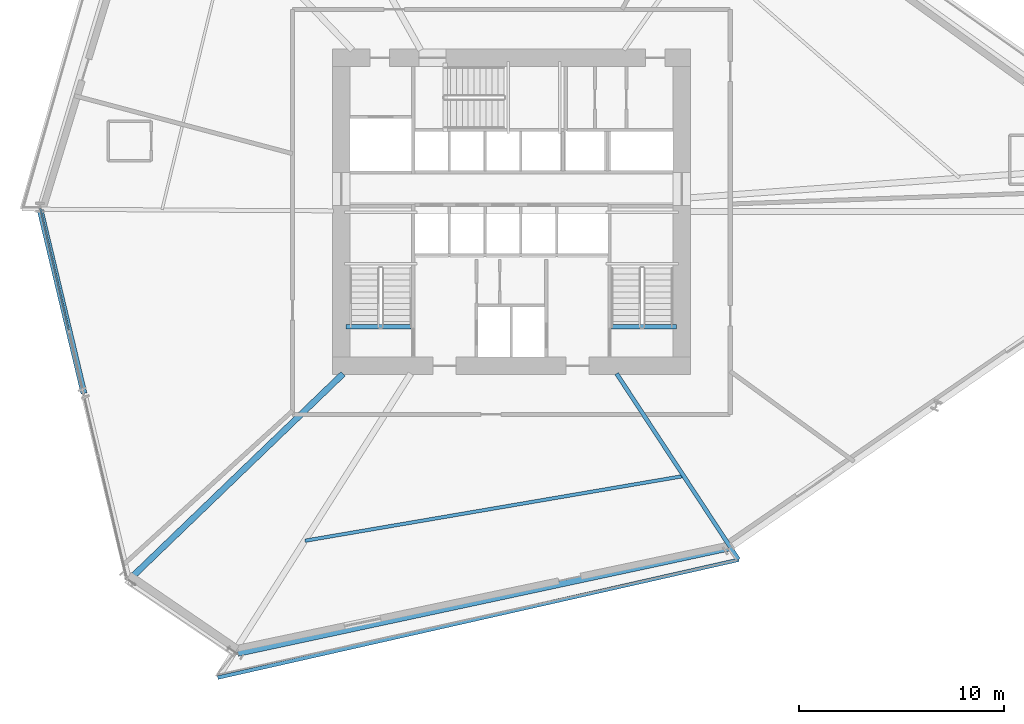
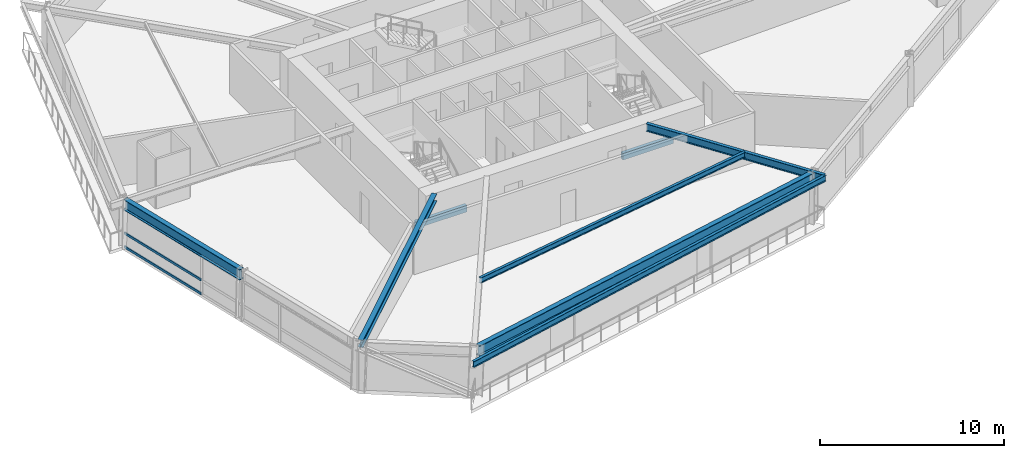
# One storey, part 5 of 24: 8 beams, 3 members, 1 element without a shape of its own.
"""IFC4 building model written with IfcOpenShell, lengths in metres."""

from ifc_helpers import new_model, si_unit, direction, frame, origin, origin_2d, place, context, subcontext, project, spatial, rectangle, hollow_rectangle, i_section, extrude, source, transform, mapped, material, material_profile, profile_set, type_object, element, aggregate, save


model = new_model("IFC4")

# Units and contexts
model_context = context("Model", 3, precision=1e-05, world=origin(), true_north=direction((0.0, 1.0)))
body_context = subcontext(model_context, "Body", "Model", "MODEL_VIEW")
ifc_project = project(units=[si_unit("LENGTHUNIT", "METRE"), si_unit("AREAUNIT", "SQUARE_METRE"), si_unit("VOLUMEUNIT", "CUBIC_METRE"), si_unit("PLANEANGLEUNIT", "RADIAN"), si_unit("MASSUNIT", "GRAM", prefix="KILO")], contexts=[model_context])

# Site, building, storey
site_placement = place(None, origin())
site = spatial("IfcSite", under=ifc_project, at=site_placement, CompositionType="ELEMENT")
building_placement = place(site_placement, origin())
building = spatial("IfcBuilding", under=site, at=building_placement, Name="Olszyna Solenne Hotel", CompositionType="ELEMENT")
storey_placement = place(building_placement, frame((0.0, 0.0, 36.39990234375)))
storey = spatial("IfcBuildingStorey", under=building, at=storey_placement, Name="L08", CompositionType="ELEMENT", Elevation=36.39990234375)

# Beams
ifc_material_1 = material(Name="Steel S355J2", Category="steel")
ifc_material_profile_1 = material_profile(ifc_material_1, i_section(OverallWidth=0.300048828125, OverallDepth=0.699951171875, WebThickness=0.01708984375, FlangeThickness=0.031982421875, at=origin_2d()), Name="HEB 700", Category="load-bearing")
ifc_profile_set_1 = profile_set([ifc_material_profile_1], Name="Steel S355J2")
beam_type_1 = type_object("IfcBeamType", Name="BM-S1", PredefinedType="BEAM", material=ifc_profile_set_1)
shared_shape_1 = source(origin(), body_context, "Body", "SweptSolid", [
    extrude(i_section(OverallWidth=0.300048828125, OverallDepth=0.699951171875, WebThickness=0.01708984375, FlangeThickness=0.031982421875, at=origin_2d()), origin(), (0.0, 0.0, 1.0), 24.53857421875),
])
beam_1_placement = place(storey_placement, frame((24.63232421875, 5.015380859375, 2.9501953125), z_axis=(0.977756964074, 0.209741076578, 0.0), x_axis=(-0.209741076578, 0.977756964074, 0.0)))
element("IfcBeam", 1, at=beam_1_placement, inside=storey, type_object=beam_type_1, Name="Perimeter spandrel beam BM-S1 B-L08-0269", PredefinedType="BEAM", context=body_context, shape_type="MappedRepresentation", body=[
    mapped(shared_shape_1, transform((0.0, 0.0, 0.0), x_axis=(1.0, 0.0, 0.0), y_axis=(0.0, 1.0, 0.0), z_axis=(0.0, 0.0, 1.0), scale=1.0)),
])
shared_shape_2 = source(origin(), body_context, "Body", "SweptSolid", [
    extrude(i_section(OverallWidth=0.300048828125, OverallDepth=0.699951171875, WebThickness=0.01708984375, FlangeThickness=0.031982421875, at=origin_2d()), origin(), (0.0, 0.0, 1.0), 9.208984375),
])
beam_2_placement = place(storey_placement, frame((14.96875, 26.67431640625, 2.9501953125), z_axis=(0.232054187375, -0.972702860139, 0.0), x_axis=(0.972702860139, 0.232054187375, 0.0)))
element("IfcBeam", 2, at=beam_2_placement, inside=storey, type_object=beam_type_1, Name="Perimeter spandrel beam BM-S1 B-L08-0266", PredefinedType="BEAM", context=body_context, shape_type="MappedRepresentation", body=[
    mapped(shared_shape_2, transform((0.0, 0.0, 0.0), x_axis=(1.0, 0.0, 0.0), y_axis=(0.0, 1.0, 0.0), z_axis=(0.0, 0.0, 1.0), scale=1.0)),
])
ifc_material_profile_2 = material_profile(ifc_material_1, i_section(OverallWidth=0.300048828125, OverallDepth=0.489990234375, WebThickness=0.011962890625, FlangeThickness=0.02294921875, at=origin_2d()), Name="HEA 500", Category="load-bearing")
ifc_profile_set_2 = profile_set([ifc_material_profile_2], Name="Steel S355J2")
beam_type_2 = type_object("IfcBeamType", Name="BM-G1", PredefinedType="BEAM", material=ifc_profile_set_2)
shared_shape_3 = source(origin(), body_context, "Body", "SweptSolid", [
    extrude(i_section(OverallWidth=0.300048828125, OverallDepth=0.489990234375, WebThickness=0.011962890625, FlangeThickness=0.02294921875, at=origin_2d()), origin(), (0.0, 0.0, 1.0), 14.5048828125),
])
beam_3_placement = place(storey_placement, frame((19.327392578125, 8.62548828125, 3.05517578125), z_axis=(0.720443857553, 0.693513264555, 0.0), x_axis=(-0.693513264555, 0.720443857553, 0.0)))
element("IfcBeam", 3, at=beam_3_placement, inside=storey, type_object=beam_type_2, Name="Radial floor girder BM-G1 B-L08-0278", PredefinedType="BEAM", context=body_context, shape_type="MappedRepresentation", body=[
    mapped(shared_shape_3, transform((0.0, 0.0, 0.0), x_axis=(1.0, 0.0, 0.0), y_axis=(0.0, 1.0, 0.0), z_axis=(0.0, 0.0, 1.0), scale=1.0)),
])
ifc_material_profile_3 = material_profile(ifc_material_1, i_section(OverallWidth=0.199951171875, OverallDepth=0.5, WebThickness=0.01025390625, FlangeThickness=0.01611328125, at=origin_2d()), Name="IPE 500", Category="load-bearing")
ifc_profile_set_3 = profile_set([ifc_material_profile_3], Name="Steel S355J2")
beam_type_3 = type_object("IfcBeamType", Name="BM-F3", PredefinedType="BEAM", material=ifc_profile_set_3)
shared_shape_4 = source(origin(), body_context, "Body", "SweptSolid", [
    extrude(i_section(OverallWidth=0.199951171875, OverallDepth=0.5, WebThickness=0.01025390625, FlangeThickness=0.01611328125, at=origin_2d()), origin(), (0.0, 0.0, 1.0), 10.865234375),
])
beam_4_placement = place(storey_placement, frame((49.101318359375, 9.60546875, 3.050048828125), z_axis=(-0.548305957779, 0.836277810697, 0.0), x_axis=(-0.836277810697, -0.548305957779, 0.0)))
element("IfcBeam", 4, at=beam_4_placement, inside=storey, type_object=beam_type_3, Name="Radial floor girder BM-F3 B-L08-0280", PredefinedType="BEAM", context=body_context, shape_type="MappedRepresentation", body=[
    mapped(shared_shape_4, transform((0.0, 0.0, 0.0), x_axis=(1.0, 0.0, 0.0), y_axis=(0.0, 1.0, 0.0), z_axis=(0.0, 0.0, 1.0), scale=1.0)),
])
ifc_material_profile_4 = material_profile(ifc_material_1, i_section(OverallWidth=0.169921875, OverallDepth=0.360107421875, WebThickness=0.008056640625, FlangeThickness=0.0126953125, at=origin_2d()), Name="IPE 360", Category="load-bearing")
ifc_profile_set_4 = profile_set([ifc_material_profile_4], Name="Steel S355J2")
beam_type_4 = type_object("IfcBeamType", Name="JS-01", PredefinedType="JOIST", material=ifc_profile_set_4)
shared_shape_5 = source(origin(), body_context, "Body", "SweptSolid", [
    extrude(i_section(OverallWidth=0.169921875, OverallDepth=0.360107421875, WebThickness=0.008056640625, FlangeThickness=0.0126953125, at=origin_2d()), origin(), (0.0, 0.0, 1.0), 18.760009765625),
])
beam_5_placement = place(storey_placement, frame((27.914794921875, 10.521484375, 3.1201171875), z_axis=(0.985709926682, 0.168451596728, 0.0), x_axis=(-0.168451596728, 0.985709926682, 0.0)))
element("IfcBeam", 5, at=beam_5_placement, inside=storey, type_object=beam_type_4, Name="Secondary composite floor joist JS-01 B-L08-0285", PredefinedType="JOIST", context=body_context, shape_type="MappedRepresentation", body=[
    mapped(shared_shape_5, transform((0.0, 0.0, 0.0), x_axis=(1.0, 0.0, 0.0), y_axis=(0.0, 1.0, 0.0), z_axis=(0.0, 0.0, 1.0), scale=1.0)),
])
ifc_material_profile_5 = material_profile(ifc_material_1, i_section(OverallWidth=0.179931640625, OverallDepth=0.39990234375, WebThickness=0.008544921875, FlangeThickness=0.013427734375, at=origin_2d()), Name="IPE 400", Category="load-bearing")
ifc_profile_set_5 = profile_set([ifc_material_profile_5], Name="Steel S355J2")
beam_type_5 = type_object("IfcBeamType", Name="BM-F5", PredefinedType="BEAM", material=ifc_profile_set_5)
shared_shape_6 = source(origin(), body_context, "Body", "SweptSolid", [
    extrude(i_section(OverallWidth=0.179931640625, OverallDepth=0.39990234375, WebThickness=0.008544921875, FlangeThickness=0.013427734375, at=origin_2d()), origin(), (0.0, 0.0, 1.0), 26.10595703125),
])
beam_6_placement = place(storey_placement, frame((23.6494140625, 3.830078125, 3.10009765625), z_axis=(0.975368031405, 0.220583778445, 0.0), x_axis=(-0.220583778445, 0.975368031405, 0.0)))
element("IfcBeam", 6, at=beam_6_placement, inside=storey, type_object=beam_type_5, Name="Loggia outer edge beam BM-F5 B-L08-0288", PredefinedType="BEAM", context=body_context, shape_type="MappedRepresentation", body=[
    mapped(shared_shape_6, transform((0.0, 0.0, 0.0), x_axis=(1.0, 0.0, 0.0), y_axis=(0.0, 1.0, 0.0), z_axis=(0.0, 0.0, 1.0), scale=1.0)),
])

# Curtain wall, members
ifc_material_2 = material(Name="Anodised bronze aluminium", Category="aluminium")
curtain_wall_type = type_object("IfcCurtainWallType", Name="CW-SYS-2", PredefinedType="NOTDEFINED", material=ifc_material_2)
curtain_wall_placement = place(storey_placement, origin())
curtain_wall = element("IfcCurtainWall", 7, at=curtain_wall_placement, inside=storey, type_object=curtain_wall_type, Name="Unitised curtain wall CW-SYS-2 CW-L08-01", PredefinedType="NOTDEFINED")
ifc_material_profile_6 = material_profile(ifc_material_2, hollow_rectangle(XDim=0.074951171875, YDim=0.159912109375, WallThickness=0.00390625, at=origin_2d()), Name="TRAN 160x75x4", Category="load-bearing")
ifc_profile_set_6 = profile_set([ifc_material_profile_6], Name="Anodised bronze aluminium")
member_type = type_object("IfcMemberType", Name="CW-T1", PredefinedType="USERDEFINED", material=ifc_profile_set_6)
shared_shape_7 = source(origin(), body_context, "Body", "SweptSolid", [
    extrude(hollow_rectangle(XDim=0.074951171875, YDim=0.159912109375, WallThickness=0.00390625, at=origin_2d()), origin(), (0.0, 0.0, 1.0), 6.106689453125),
])
member_1_placement = place(storey_placement, frame((14.972900390625, 26.76025390625, 0.03759765625), z_axis=(0.22775785524, -0.973717802742, 0.0), x_axis=(0.973717802742, 0.22775785524, 0.0)))
member_1 = element("IfcMember", 8, at=member_1_placement, type_object=member_type, Name="Curtain-wall transom CW-T1 CT-L08-01-01", ObjectType="TRANSOM", PredefinedType="USERDEFINED", context=body_context, shape_type="MappedRepresentation", body=[
    mapped(shared_shape_7, transform((0.0, 0.0, 0.0), x_axis=(1.0, 0.0, 0.0), y_axis=(0.0, 1.0, 0.0), z_axis=(0.0, 0.0, 1.0), scale=1.0)),
])
member_2_placement = place(storey_placement, frame((14.972900390625, 26.76025390625, 0.9501953125), z_axis=(0.22775785524, -0.973717802742, 0.0), x_axis=(0.973717802742, 0.22775785524, 0.0)))
member_2 = element("IfcMember", 9, at=member_2_placement, type_object=member_type, Name="Curtain-wall transom CW-T1 CT-L08-01-02", ObjectType="TRANSOM", PredefinedType="USERDEFINED", context=body_context, shape_type="MappedRepresentation", body=[
    mapped(shared_shape_7, transform((0.0, 0.0, 0.0), x_axis=(1.0, 0.0, 0.0), y_axis=(0.0, 1.0, 0.0), z_axis=(0.0, 0.0, 1.0), scale=1.0)),
])
member_3_placement = place(storey_placement, frame((14.972900390625, 26.76025390625, 2.5546875), z_axis=(0.22775785524, -0.973717802742, 0.0), x_axis=(0.973717802742, 0.22775785524, 0.0)))
member_3 = element("IfcMember", 10, at=member_3_placement, type_object=member_type, Name="Curtain-wall transom CW-T1 CT-L08-01-03", ObjectType="TRANSOM", PredefinedType="USERDEFINED", context=body_context, shape_type="MappedRepresentation", body=[
    mapped(shared_shape_7, transform((0.0, 0.0, 0.0), x_axis=(1.0, 0.0, 0.0), y_axis=(0.0, 1.0, 0.0), z_axis=(0.0, 0.0, 1.0), scale=1.0)),
])
aggregate(curtain_wall, [member_1, member_2, member_3])

# Beams
ifc_material_3 = material(Name="Concrete C50/60", Category="concrete")
ifc_material_profile_7 = material_profile(ifc_material_3, rectangle(XDim=0.219970703125, YDim=0.43994140625, at=origin_2d()), Name="RC 220x440", Category="load-bearing")
ifc_profile_set_7 = profile_set([ifc_material_profile_7], Name="Concrete C50/60")
beam_type_6 = type_object("IfcBeamType", Name="BM-ST1", PredefinedType="BEAM", material=ifc_profile_set_7)
shared_shape_8 = source(origin(), body_context, "Body", "SweptSolid", [
    extrude(rectangle(XDim=0.219970703125, YDim=0.43994140625, at=origin_2d()), origin(), (0.0, 0.0, 1.0), 3.18017578125),
])
for number, where, z_axis, x_axis, name in (
    (11, (33.10009765625, 20.97998046875, -0.204833984375), (-1.0, 0.0, 0.0), (0.0, -1.0, 0.0), "Concrete stair trimmer beam BM-ST1 SHB-ST1-0170"),
    (12, (46.080078125, 20.97998046875, -0.204833984375), (-1.0, 0.0, 0.0), (0.0, -1.0, 0.0), "Concrete stair trimmer beam BM-ST1 SHB-ST2-0410"),
):
    element("IfcBeam", number, at=place(storey_placement, frame(where, z_axis=z_axis, x_axis=x_axis)), inside=storey, type_object=beam_type_6, Name=name, PredefinedType="BEAM", context=body_context, shape_type="MappedRepresentation", body=[
        mapped(shared_shape_8, transform((0.0, 0.0, 0.0), x_axis=(1.0, 0.0, 0.0), y_axis=(0.0, 1.0, 0.0), z_axis=(0.0, 0.0, 1.0), scale=1.0)),
    ])

save(model, "model.ifc")
